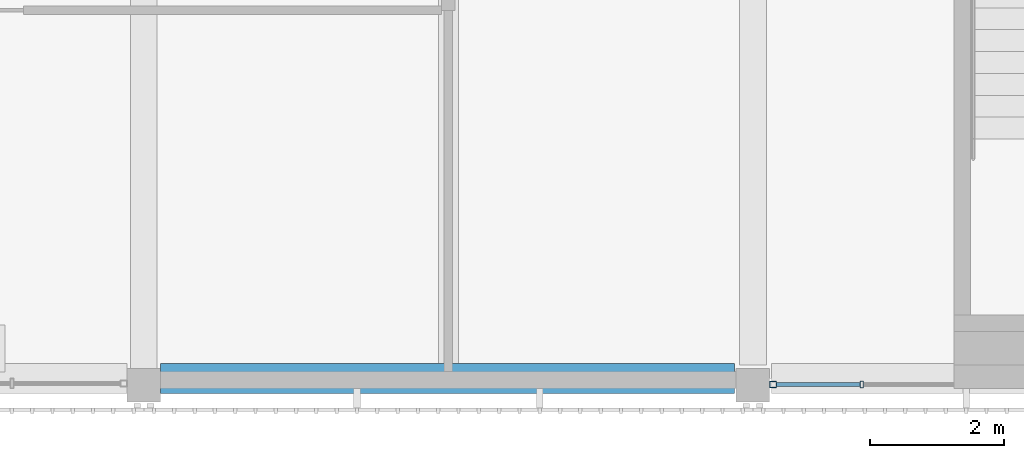
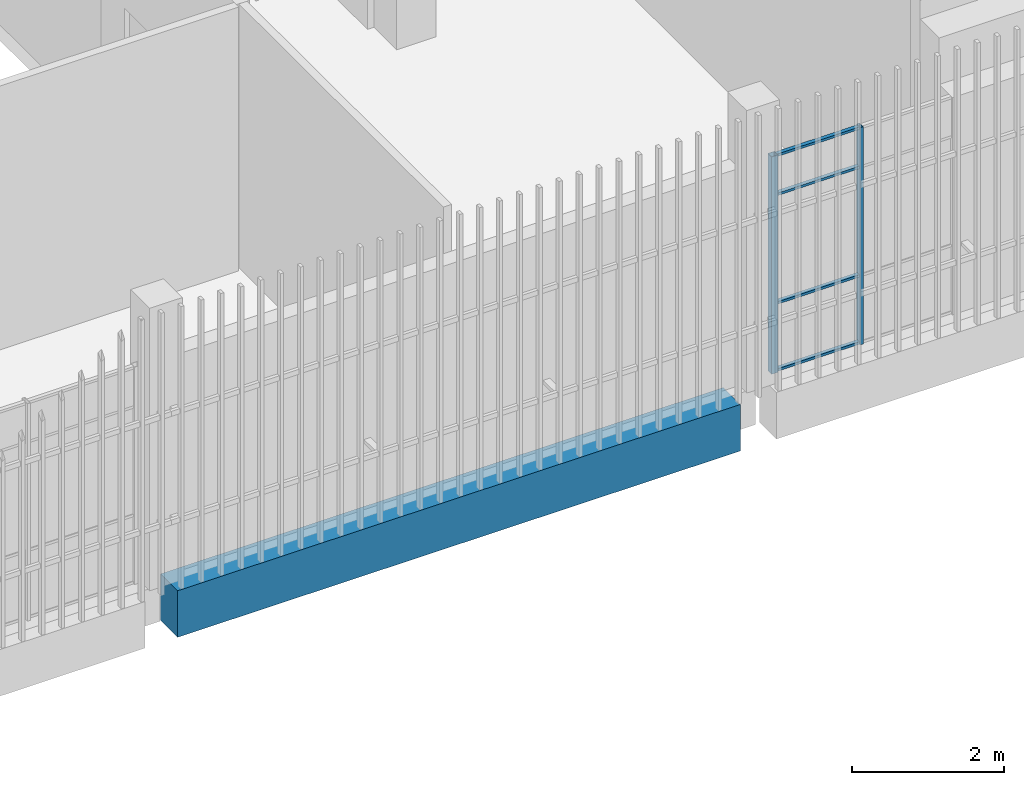
# One storey, part 27 of 124: 6 members, 1 beam, 1 element without a shape of its own.
"""IFC4 building model written with IfcOpenShell, lengths in metres."""

from ifc_helpers import new_model, si_unit, direction, frame, origin, origin_2d, place, context, subcontext, project, spatial, rectangle, hollow_rectangle, extrude, material, layer, layer_set, material_profile, profile_set, type_object, element, aggregate, save


model = new_model("IFC4")

# Units and contexts
model_context = context("Model", 3, precision=1e-05, world=origin(), true_north=direction((0.0, 1.0)))
body_context = subcontext(model_context, "Body", "Model", "MODEL_VIEW")
ifc_project = project(units=[si_unit("LENGTHUNIT", "METRE"), si_unit("AREAUNIT", "SQUARE_METRE"), si_unit("VOLUMEUNIT", "CUBIC_METRE"), si_unit("PLANEANGLEUNIT", "RADIAN"), si_unit("MASSUNIT", "GRAM", prefix="KILO")], contexts=[model_context])

# Site, building, storey
site_placement = place(None, origin())
site = spatial("IfcSite", under=ifc_project, at=site_placement, CompositionType="ELEMENT")
building_placement = place(site_placement, origin())
building = spatial("IfcBuilding", under=site, at=building_placement, Name="Shirokan Park Arena", CompositionType="ELEMENT")
storey_placement = place(building_placement, frame((0.0, 0.0, 20.02001953125)))
storey = spatial("IfcBuildingStorey", under=building, at=storey_placement, Name="L04", CompositionType="ELEMENT", Elevation=20.02001953125)

# Curtain wall, members
ifc_material_1 = material(Name="Steel and glass curtain wall", Category="steel")
ifc_layer = layer(ifc_material_1, 0.1201171875)
ifc_layer_set = layer_set([ifc_layer], Name="Steel and glass curtain wall 120 mm")
curtain_wall_type = type_object("IfcCurtainWallType", Name="Curtain wall corner block side bay 120", PredefinedType="NOTDEFINED", material=ifc_layer_set)
curtain_wall_placement = place(storey_placement, origin())
curtain_wall = element("IfcCurtainWall", 1, at=curtain_wall_placement, inside=storey, type_object=curtain_wall_type, Name="Curtain wall south bay 13 L04", PredefinedType="NOTDEFINED")
ifc_material_2 = material(Name="Steel S355", Category="steel")
ifc_material_profile_1 = material_profile(ifc_material_2, hollow_rectangle(XDim=0.10009765625, YDim=0.10009765625, WallThickness=0.006103515625, at=origin_2d()), Name="RHS 100x100x6")
ifc_profile_set_1 = profile_set([ifc_material_profile_1], Name="Steel S355")
member_type_1 = type_object("IfcMemberType", Name="Mullion RHS 100x100x6", PredefinedType="MULLION", material=ifc_profile_set_1)
member_1_placement = place(storey_placement, frame((109.5, -0.090087890625, 0.0), z_axis=(0.0, 0.0, 1.0), x_axis=(0.0, 1.0, 0.0)))
member_1 = element("IfcMember", 2, at=member_1_placement, type_object=member_type_1, Name="CW3 mullion 1", PredefinedType="MULLION", context=body_context, shape_type="SweptSolid", body=[
    extrude(hollow_rectangle(XDim=0.10009765625, YDim=0.10009765625, WallThickness=0.006103515625, at=origin_2d()), origin(), (0.0, 0.0, 1.0), 3.5),
])
ifc_material_profile_2 = material_profile(ifc_material_2, hollow_rectangle(XDim=0.10009765625, YDim=0.050048828125, WallThickness=0.0048828125, at=origin_2d()), Name="RHS 100x50x5")
ifc_profile_set_2 = profile_set([ifc_material_profile_2], Name="Steel S355")
member_type_2 = type_object("IfcMemberType", Name="Mullion RHS 100x50x5", PredefinedType="MULLION", material=ifc_profile_set_2)
member_2_placement = place(storey_placement, frame((110.824951171875, -0.090087890625, 0.0), z_axis=(0.0, 0.0, 1.0), x_axis=(0.0, 1.0, 0.0)))
member_2 = element("IfcMember", 3, at=member_2_placement, type_object=member_type_2, Name="CW3 mullion 2", PredefinedType="MULLION", context=body_context, shape_type="SweptSolid", body=[
    extrude(hollow_rectangle(XDim=0.10009765625, YDim=0.050048828125, WallThickness=0.0048828125, at=origin_2d()), origin(), (0.0, 0.0, 1.0), 3.5),
])

# Beam
ifc_material_3 = material(Name="Concrete C35", Category="concrete")
ifc_material_profile_3 = material_profile(ifc_material_3, rectangle(XDim=0.449951171875, YDim=0.75, at=origin_2d()), Name="450x750")
ifc_profile_set_3 = profile_set([ifc_material_profile_3], Name="Concrete C35")
beam_type = type_object("IfcBeamType", Name="RC girder 450x750", PredefinedType="BEAM", material=ifc_profile_set_3)
beam_placement = place(storey_placement, frame((100.35009765625, 0.0, -0.625), z_axis=(1.0, 0.0, 0.0), x_axis=(0.0, 1.0, 0.0)))
element("IfcBeam", 4, at=beam_placement, inside=storey, type_object=beam_type, Name="Girder 12A-13A L04", PredefinedType="BEAM", context=body_context, shape_type="SweptSolid", body=[
    extrude(rectangle(XDim=0.449951171875, YDim=0.75, at=origin_2d()), origin(), (0.0, 0.0, 1.0), 8.57470703125),
])

# Member
ifc_material_profile_4 = material_profile(ifc_material_2, hollow_rectangle(XDim=0.06005859375, YDim=0.0400390625, WallThickness=0.00390625, at=origin_2d()), Name="RHS 60x40x4")
ifc_profile_set_4 = profile_set([ifc_material_profile_4], Name="Steel S355")
member_type_3 = type_object("IfcMemberType", Name="Transom RHS 60x40x4", PredefinedType="MULLION", material=ifc_profile_set_4)
member_3_placement = place(storey_placement, frame((109.550048828125, -0.090087890625, 0.02001953125), z_axis=(1.0, 0.0, 0.0), x_axis=(0.0, 1.0, 0.0)))
member_3 = element("IfcMember", 5, at=member_3_placement, type_object=member_type_3, Name="CW3 transom 1.1", PredefinedType="MULLION", context=body_context, shape_type="SweptSolid", body=[
    extrude(hollow_rectangle(XDim=0.06005859375, YDim=0.0400390625, WallThickness=0.00390625, at=origin_2d()), origin(), (0.0, 0.0, 1.0), 1.25),
])

member_4_placement = place(storey_placement, frame((109.550048828125, -0.090087890625, 1.10009765625), z_axis=(1.0, 0.0, 0.0), x_axis=(0.0, 1.0, 0.0)))
member_4 = element("IfcMember", 6, at=member_4_placement, type_object=member_type_3, Name="CW3 transom 1.2", PredefinedType="MULLION", context=body_context, shape_type="SweptSolid", body=[
    extrude(hollow_rectangle(XDim=0.06005859375, YDim=0.0400390625, WallThickness=0.00390625, at=origin_2d()), origin(), (0.0, 0.0, 1.0), 1.25),
])

member_5_placement = place(storey_placement, frame((109.550048828125, -0.090087890625, 2.85009765625), z_axis=(1.0, 0.0, 0.0), x_axis=(0.0, 1.0, 0.0)))
member_5 = element("IfcMember", 7, at=member_5_placement, type_object=member_type_3, Name="CW3 transom 1.3", PredefinedType="MULLION", context=body_context, shape_type="SweptSolid", body=[
    extrude(hollow_rectangle(XDim=0.06005859375, YDim=0.0400390625, WallThickness=0.00390625, at=origin_2d()), origin(), (0.0, 0.0, 1.0), 1.25),
])

member_6_placement = place(storey_placement, frame((109.550048828125, -0.090087890625, 3.47998046875), z_axis=(1.0, 0.0, 0.0), x_axis=(0.0, 1.0, 0.0)))
member_6 = element("IfcMember", 8, at=member_6_placement, type_object=member_type_3, Name="CW3 transom 1.4", PredefinedType="MULLION", context=body_context, shape_type="SweptSolid", body=[
    extrude(hollow_rectangle(XDim=0.06005859375, YDim=0.0400390625, WallThickness=0.00390625, at=origin_2d()), origin(), (0.0, 0.0, 1.0), 1.25),
])

aggregate(curtain_wall, [member_1, member_2, member_3, member_4, member_5, member_6])

save(model, "model.ifc")
